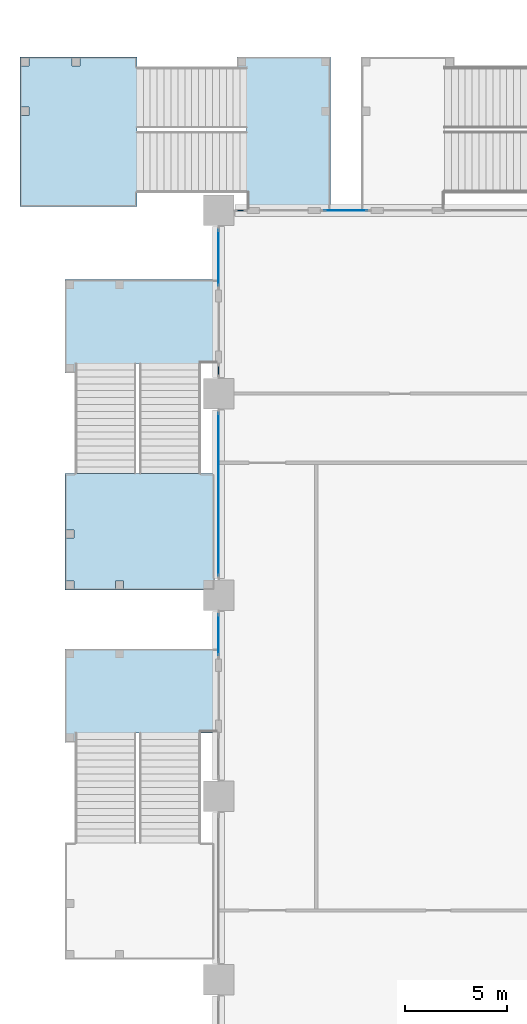
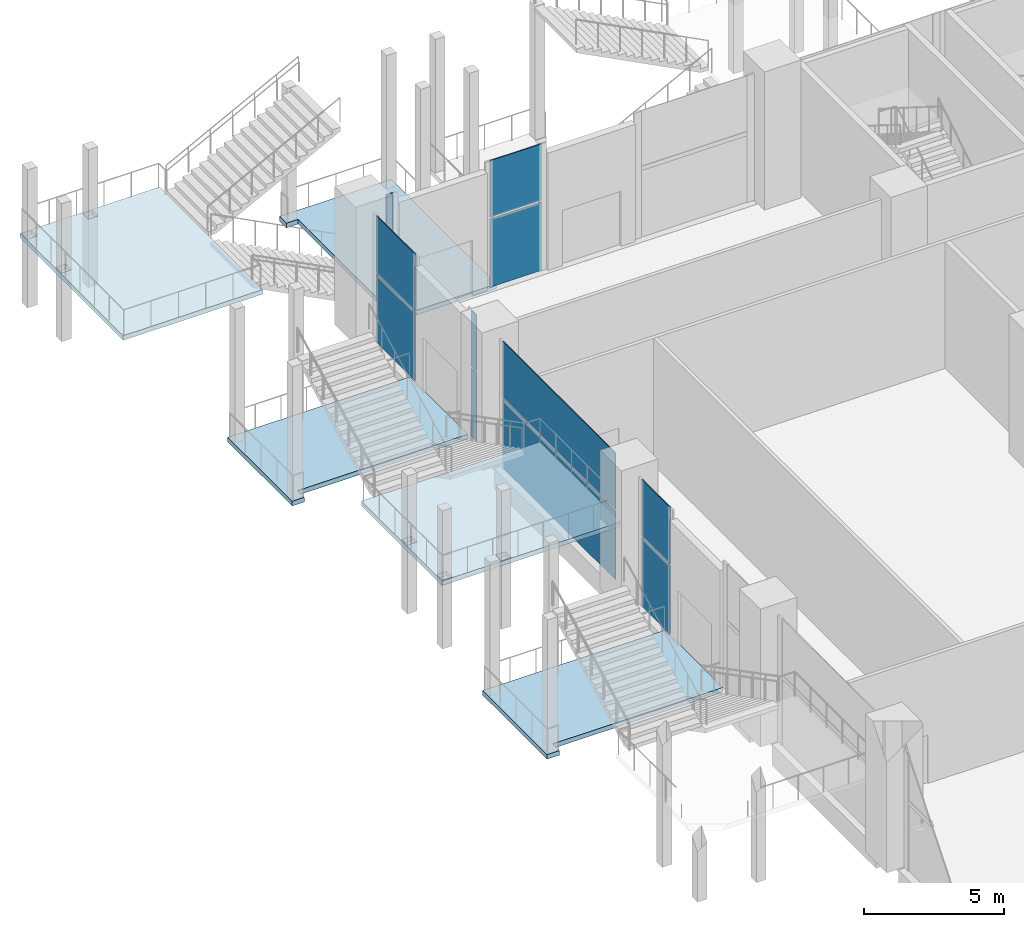
# One storey, part 18 of 49: 12 plates, 5 slabs, 8 elements without a shape of their own.
"""IFC4 building model written with IfcOpenShell, lengths in metres."""

from ifc_helpers import new_model, si_unit, direction, frame, origin, origin_2d, place, context, subcontext, project, spatial, polyline, rectangle, outline, extrude, material, layer, layer_set, type_object, element, aggregate, save


model = new_model("IFC4")

# Units and contexts
model_context = context("Model", 3, precision=1e-05, world=origin(), true_north=direction((0.0, 1.0)))
body_context = subcontext(model_context, "Body", "Model", "MODEL_VIEW")
ifc_project = project(units=[si_unit("LENGTHUNIT", "METRE"), si_unit("AREAUNIT", "SQUARE_METRE"), si_unit("VOLUMEUNIT", "CUBIC_METRE"), si_unit("PLANEANGLEUNIT", "RADIAN"), si_unit("MASSUNIT", "GRAM", prefix="KILO")], contexts=[model_context])

# Site, building, storey
site_placement = place(None, origin())
site = spatial("IfcSite", under=ifc_project, at=site_placement, CompositionType="ELEMENT")
building_placement = place(site_placement, origin())
building = spatial("IfcBuilding", under=site, at=building_placement, Name="Candeia Pilgrim Tower and Theatre", CompositionType="ELEMENT")
storey_placement = place(building_placement, frame((0.0, 0.0, 17.0)))
storey = spatial("IfcBuildingStorey", under=building, at=storey_placement, Name="L02", CompositionType="ELEMENT", Elevation=17.0)

# Curtain wall, plates
ifc_material_1 = material(Name="Aluminium framed podium glazing", Category="aluminium")
curtain_wall_type = type_object("IfcCurtainWallType", Name="CW-P curtain wall", PredefinedType="NOTDEFINED", material=ifc_material_1)
curtain_wall_1_placement = place(storey_placement, origin())
curtain_wall_1 = element("IfcCurtainWall", 1, at=curtain_wall_1_placement, inside=storey, type_object=curtain_wall_type, Name="Curtain wall CW-P L02.041", PredefinedType="NOTDEFINED")
ifc_material_2 = material(Name="Laminated low-iron glass 2 x 8 mm", Category="glass")
ifc_layer_1 = layer(ifc_material_2, 0.035888671875)
ifc_layer_set_1 = layer_set([ifc_layer_1], Name="CW-P glass panel 36")
plate_type = type_object("IfcPlateType", Name="CW-P glass panel 36", PredefinedType="CURTAIN_PANEL", material=ifc_layer_set_1)
plate_1_placement = place(storey_placement, frame((58.800048828125, 123.949951171875, 0.0), z_axis=(0.0, 0.0, 1.0), x_axis=(0.0, 1.0, 0.0)))
plate_1 = element("IfcPlate", 2, at=plate_1_placement, type_object=plate_type, Name="CW-P panel 1.1", PredefinedType="CURTAIN_PANEL", context=body_context, shape_type="SweptSolid", body=[
    extrude(rectangle(XDim=2.02001953125, YDim=0.035888671875, at=origin_2d()), origin(), (0.0, 0.0, 1.0), 2.9599609375),
])
plate_2_placement = place(storey_placement, frame((58.800048828125, 123.949951171875, 3.0400390625), z_axis=(0.0, 0.0, 1.0), x_axis=(0.0, 1.0, 0.0)))
plate_2 = element("IfcPlate", 3, at=plate_2_placement, type_object=plate_type, Name="CW-P panel 1.2", PredefinedType="CURTAIN_PANEL", context=body_context, shape_type="SweptSolid", body=[
    extrude(rectangle(XDim=2.02001953125, YDim=0.035888671875, at=origin_2d()), origin(), (0.0, 0.0, 1.0), 2.4599609375),
])
aggregate(curtain_wall_1, [plate_1, plate_2])

curtain_wall_2_placement = place(storey_placement, origin())
curtain_wall_2 = element("IfcCurtainWall", 4, at=curtain_wall_2_placement, inside=storey, type_object=curtain_wall_type, Name="Curtain wall CW-P L02.050", PredefinedType="NOTDEFINED")
plate_3_placement = place(storey_placement, frame((58.800048828125, 130.85009765625, 0.0), z_axis=(0.0, 0.0, 1.0), x_axis=(0.0, 1.0, 0.0)))
plate_3 = element("IfcPlate", 5, at=plate_3_placement, type_object=plate_type, Name="CW-P panel 1.1", PredefinedType="CURTAIN_PANEL", context=body_context, shape_type="SweptSolid", body=[
    extrude(rectangle(XDim=8.02001953125, YDim=0.035888671875, at=origin_2d()), origin(), (0.0, 0.0, 1.0), 2.9599609375),
])
plate_4_placement = place(storey_placement, frame((58.800048828125, 130.85009765625, 3.0400390625), z_axis=(0.0, 0.0, 1.0), x_axis=(0.0, 1.0, 0.0)))
plate_4 = element("IfcPlate", 6, at=plate_4_placement, type_object=plate_type, Name="CW-P panel 1.2", PredefinedType="CURTAIN_PANEL", context=body_context, shape_type="SweptSolid", body=[
    extrude(rectangle(XDim=8.02001953125, YDim=0.035888671875, at=origin_2d()), origin(), (0.0, 0.0, 1.0), 2.4599609375),
])
aggregate(curtain_wall_2, [plate_3, plate_4])

curtain_wall_3_placement = place(storey_placement, origin())
curtain_wall_3 = element("IfcCurtainWall", 7, at=curtain_wall_3_placement, inside=storey, type_object=curtain_wall_type, Name="Curtain wall CW-P L02.060", PredefinedType="NOTDEFINED")
plate_5_placement = place(storey_placement, frame((58.800048828125, 136.925048828125, 0.0), z_axis=(0.0, 0.0, 1.0), x_axis=(0.0, 1.0, 0.0)))
plate_5 = element("IfcPlate", 8, at=plate_5_placement, type_object=plate_type, Name="CW-P panel 1.1", PredefinedType="CURTAIN_PANEL", context=body_context, shape_type="SweptSolid", body=[
    extrude(rectangle(XDim=0.3701171875, YDim=0.035888671875, at=origin_2d()), origin(), (0.0, 0.0, 1.0), 2.9599609375),
])
plate_6_placement = place(storey_placement, frame((58.800048828125, 136.925048828125, 3.0400390625), z_axis=(0.0, 0.0, 1.0), x_axis=(0.0, 1.0, 0.0)))
plate_6 = element("IfcPlate", 9, at=plate_6_placement, type_object=plate_type, Name="CW-P panel 1.2", PredefinedType="CURTAIN_PANEL", context=body_context, shape_type="SweptSolid", body=[
    extrude(rectangle(XDim=0.3701171875, YDim=0.035888671875, at=origin_2d()), origin(), (0.0, 0.0, 1.0), 2.4599609375),
])
aggregate(curtain_wall_3, [plate_5, plate_6])

curtain_wall_4_placement = place(storey_placement, origin())
curtain_wall_4 = element("IfcCurtainWall", 10, at=curtain_wall_4_placement, inside=storey, type_object=curtain_wall_type, Name="Curtain wall CW-P L02.061", PredefinedType="NOTDEFINED")
plate_7_placement = place(storey_placement, frame((58.800048828125, 142.47509765625, 0.0), z_axis=(0.0, 0.0, 1.0), x_axis=(0.0, 1.0, 0.0)))
plate_7 = element("IfcPlate", 11, at=plate_7_placement, type_object=plate_type, Name="CW-P panel 1.1", PredefinedType="CURTAIN_PANEL", context=body_context, shape_type="SweptSolid", body=[
    extrude(rectangle(XDim=2.77001953125, YDim=0.035888671875, at=origin_2d()), origin(), (0.0, 0.0, 1.0), 2.9599609375),
])
plate_8_placement = place(storey_placement, frame((58.800048828125, 142.47509765625, 3.0400390625), z_axis=(0.0, 0.0, 1.0), x_axis=(0.0, 1.0, 0.0)))
plate_8 = element("IfcPlate", 12, at=plate_8_placement, type_object=plate_type, Name="CW-P panel 1.2", PredefinedType="CURTAIN_PANEL", context=body_context, shape_type="SweptSolid", body=[
    extrude(rectangle(XDim=2.77001953125, YDim=0.035888671875, at=origin_2d()), origin(), (0.0, 0.0, 1.0), 2.4599609375),
])
aggregate(curtain_wall_4, [plate_7, plate_8])

curtain_wall_5_placement = place(storey_placement, origin())
curtain_wall_5 = element("IfcCurtainWall", 13, at=curtain_wall_5_placement, inside=storey, type_object=curtain_wall_type, Name="Curtain wall CW-P L02.100", PredefinedType="NOTDEFINED")
plate_9_placement = place(storey_placement, frame((59.875, 144.800048828125, 0.0), z_axis=(0.0, 0.0, 1.0), x_axis=(1.0, 0.0, 0.0)))
plate_9 = element("IfcPlate", 14, at=plate_9_placement, type_object=plate_type, Name="CW-P panel 1.1", PredefinedType="CURTAIN_PANEL", context=body_context, shape_type="SweptSolid", body=[
    extrude(rectangle(XDim=0.27001953125, YDim=0.035888671875, at=origin_2d()), origin(), (0.0, 0.0, 1.0), 2.9599609375),
])
plate_10_placement = place(storey_placement, frame((59.875, 144.800048828125, 3.0400390625), z_axis=(0.0, 0.0, 1.0), x_axis=(1.0, 0.0, 0.0)))
plate_10 = element("IfcPlate", 15, at=plate_10_placement, type_object=plate_type, Name="CW-P panel 1.2", PredefinedType="CURTAIN_PANEL", context=body_context, shape_type="SweptSolid", body=[
    extrude(rectangle(XDim=0.27001953125, YDim=0.035888671875, at=origin_2d()), origin(), (0.0, 0.0, 1.0), 2.4599609375),
])
aggregate(curtain_wall_5, [plate_9, plate_10])

curtain_wall_6_placement = place(storey_placement, origin())
curtain_wall_6 = element("IfcCurtainWall", 16, at=curtain_wall_6_placement, inside=storey, type_object=curtain_wall_type, Name="Curtain wall CW-P L02.101", PredefinedType="NOTDEFINED")
plate_11_placement = place(storey_placement, frame((65.050048828125, 144.800048828125, 0.0), z_axis=(0.0, 0.0, 1.0), x_axis=(1.0, 0.0, 0.0)))
plate_11 = element("IfcPlate", 17, at=plate_11_placement, type_object=plate_type, Name="CW-P panel 1.1", PredefinedType="CURTAIN_PANEL", context=body_context, shape_type="SweptSolid", body=[
    extrude(rectangle(XDim=2.1201171875, YDim=0.035888671875, at=origin_2d()), origin(), (0.0, 0.0, 1.0), 2.9599609375),
])
plate_12_placement = place(storey_placement, frame((65.050048828125, 144.800048828125, 3.0400390625), z_axis=(0.0, 0.0, 1.0), x_axis=(1.0, 0.0, 0.0)))
plate_12 = element("IfcPlate", 18, at=plate_12_placement, type_object=plate_type, Name="CW-P panel 1.2", PredefinedType="CURTAIN_PANEL", context=body_context, shape_type="SweptSolid", body=[
    extrude(rectangle(XDim=2.1201171875, YDim=0.035888671875, at=origin_2d()), origin(), (0.0, 0.0, 1.0), 2.4599609375),
])
aggregate(curtain_wall_6, [plate_11, plate_12])

# Slab
ifc_material_3 = material(Name="Concrete C40/50", Category="concrete")
ifc_layer_2 = layer(ifc_material_3, 0.199951171875)
ifc_layer_set_2 = layer_set([ifc_layer_2], Name="SL-EXT stair landing")
slab_type = type_object("IfcSlabType", Name="SL-EXT stair landing", PredefinedType="LANDING", material=ifc_layer_set_2)
slab_1_placement = place(storey_placement, frame((0.0, 0.0, -0.199951171875)))
element("IfcSlab", 19, at=slab_1_placement, inside=storey, type_object=slab_type, Name="L02 External escape stair ES3 floor landing", PredefinedType="LANDING", context=body_context, shape_type="SweptSolid", body=[
    extrude(outline(polyline([(64.300048828125, 144.85009765625), (60.179931640625, 144.85009765625), (60.179931640625, 151.85009765625), (59.699951171875, 151.85009765625), (59.699951171875, 152.35009765625), (64.300048828125, 152.35009765625), (64.300048828125, 144.85009765625)])), origin(), (0.0, 0.0, 1.0), 0.199951171875),
])

# Stair, slab
stair_type = type_object("IfcStairType", Name="ST-EXT external escape stair", PredefinedType="HALF_TURN_STAIR", material=ifc_material_3)
stair_1_placement = place(storey_placement, origin())
stair_1 = element("IfcStair", 20, at=stair_1_placement, inside=storey, type_object=stair_type, Name="L02 External escape stair ES3", PredefinedType="HALF_TURN_STAIR")
slab_2_placement = place(storey_placement, frame((0.0, 0.0, 2.800048828125)))
slab_2 = element("IfcSlab", 21, at=slab_2_placement, type_object=slab_type, Name="L02 External escape stair ES3 landing", PredefinedType="LANDING", context=body_context, shape_type="SweptSolid", body=[
    extrude(outline(polyline([(54.780029296875, 145.0), (49.0400390625, 145.0), (49.0400390625, 152.35009765625), (54.780029296875, 152.35009765625), (54.780029296875, 145.0)]), holes=[polyline([(51.590087890625, 151.89990234375), (51.989990234375, 151.89990234375), (51.989990234375, 152.300048828125), (51.590087890625, 152.300048828125), (51.590087890625, 151.89990234375)]), polyline([(49.090087890625, 151.89990234375), (49.489990234375, 151.89990234375), (49.489990234375, 152.300048828125), (49.090087890625, 152.300048828125), (49.090087890625, 151.89990234375)]), polyline([(49.090087890625, 149.47509765625), (49.489990234375, 149.47509765625), (49.489990234375, 149.875), (49.090087890625, 149.875), (49.090087890625, 149.47509765625)])]), origin(), (0.0, 0.0, 1.0), 0.199951171875),
])
aggregate(stair_1, [slab_2])

# Slab
slab_3_placement = place(storey_placement, frame((0.0, 0.0, -0.199951171875)))
element("IfcSlab", 22, at=slab_3_placement, inside=storey, type_object=slab_type, Name="L02 External escape stair ES13 floor landing", PredefinedType="LANDING", context=body_context, shape_type="SweptSolid", body=[
    extrude(outline(polyline([(58.75, 141.39990234375), (58.75, 137.280029296875), (51.75, 137.280029296875), (51.75, 136.800048828125), (51.25, 136.800048828125), (51.25, 141.39990234375), (58.75, 141.39990234375)])), origin(), (0.0, 0.0, 1.0), 0.199951171875),
])

# Stair, slab
stair_2_placement = place(storey_placement, origin())
stair_2 = element("IfcStair", 23, at=stair_2_placement, inside=storey, type_object=stair_type, Name="L02 External escape stair ES13", PredefinedType="HALF_TURN_STAIR")
slab_4_placement = place(storey_placement, frame((0.0, 0.0, 2.800048828125)))
slab_4 = element("IfcSlab", 24, at=slab_4_placement, type_object=slab_type, Name="L02 External escape stair ES13 landing", PredefinedType="LANDING", context=body_context, shape_type="SweptSolid", body=[
    extrude(outline(polyline([(58.60009765625, 131.8798828125), (58.60009765625, 126.139892578125), (51.25, 126.139892578125), (51.25, 131.8798828125), (58.60009765625, 131.8798828125)]), holes=[polyline([(51.300048828125, 128.68994140625), (51.699951171875, 128.68994140625), (51.699951171875, 129.090087890625), (51.300048828125, 129.090087890625), (51.300048828125, 128.68994140625)]), polyline([(51.300048828125, 126.18994140625), (51.699951171875, 126.18994140625), (51.699951171875, 126.590087890625), (51.300048828125, 126.590087890625), (51.300048828125, 126.18994140625)]), polyline([(53.72509765625, 126.18994140625), (54.125, 126.18994140625), (54.125, 126.590087890625), (53.72509765625, 126.590087890625), (53.72509765625, 126.18994140625)])]), origin(), (0.0, 0.0, 1.0), 0.199951171875),
])
aggregate(stair_2, [slab_4])

# Slab
slab_5_placement = place(storey_placement, frame((0.0, 0.0, -0.199951171875)))
element("IfcSlab", 25, at=slab_5_placement, inside=storey, type_object=slab_type, Name="L02 External escape stair ES15 floor landing", PredefinedType="LANDING", context=body_context, shape_type="SweptSolid", body=[
    extrude(outline(polyline([(58.75, 123.25), (58.75, 119.1298828125), (51.75, 119.1298828125), (51.75, 118.64990234375), (51.25, 118.64990234375), (51.25, 123.25), (58.75, 123.25)])), origin(), (0.0, 0.0, 1.0), 0.199951171875),
])

save(model, "model.ifc")
